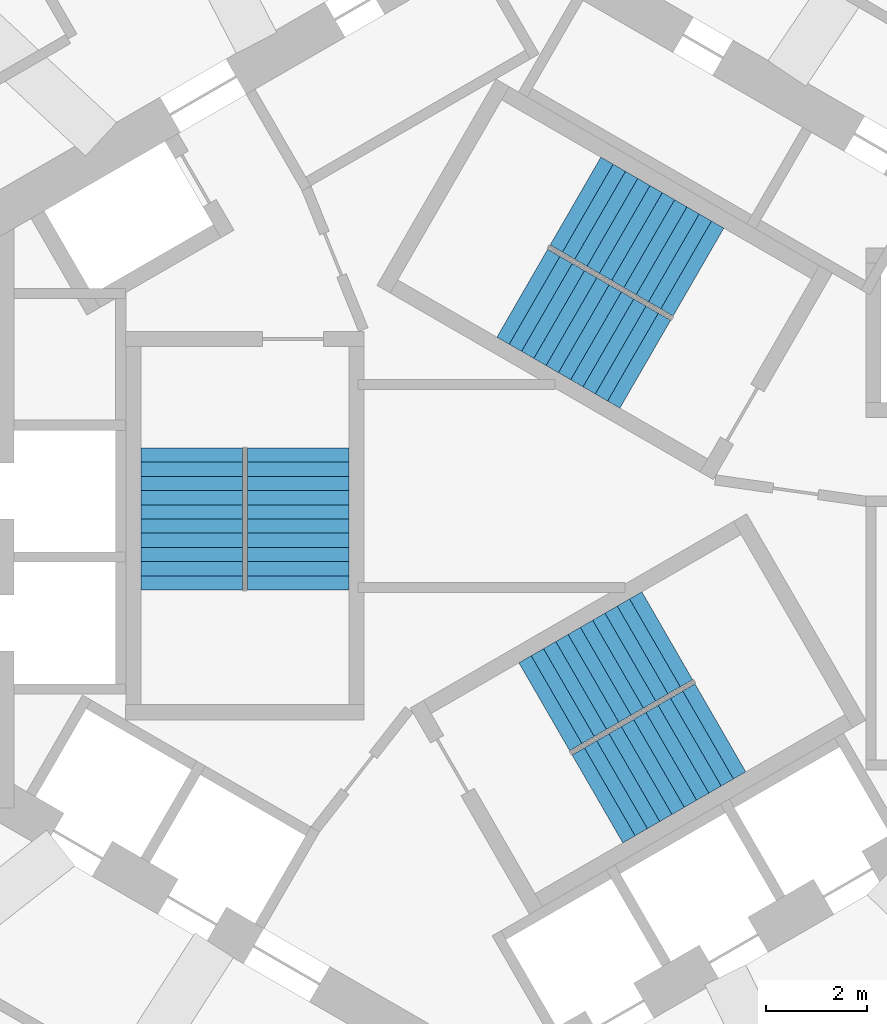
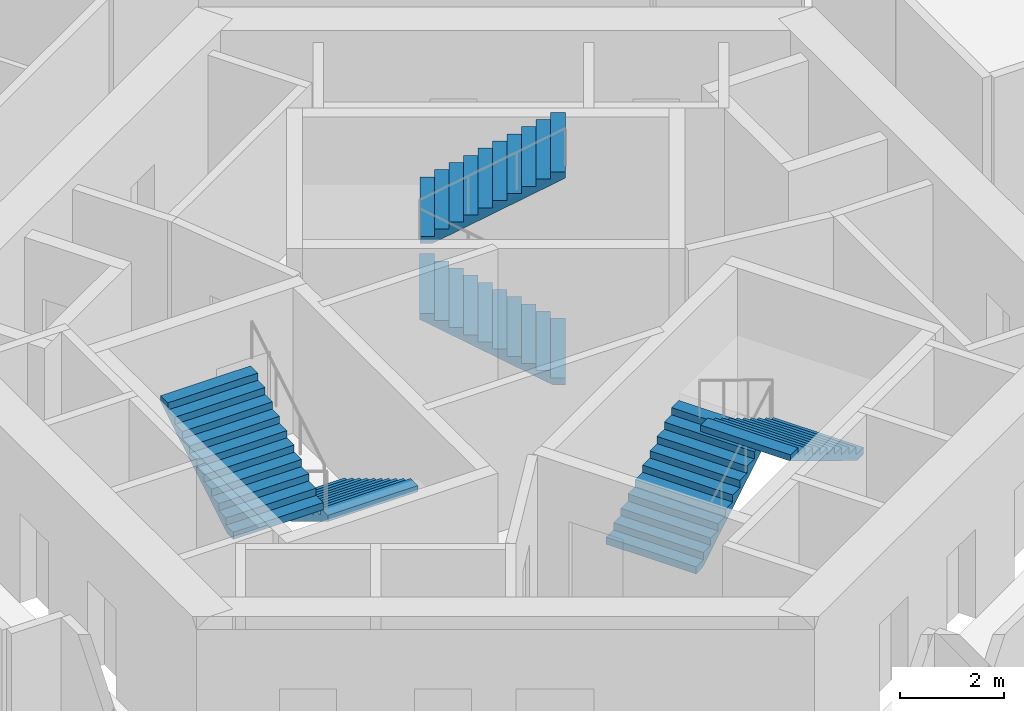
# One storey, part 9 of 11: 6 stair flights, 3 elements without a shape of their own.
"""IFC4 building model written with IfcOpenShell, lengths in metres."""

from ifc_helpers import new_model, si_unit, direction, frame, origin, place, context, subcontext, project, spatial, triangles, source, transform, mapped, material, type_object, element, aggregate, save


model = new_model("IFC4")

# Units and contexts
model_context = context("Model", 3, precision=1e-05, world=origin(), true_north=direction((0.0, 1.0)))
body_context = subcontext(model_context, "Body", "Model", "MODEL_VIEW")
ifc_project = project(units=[si_unit("LENGTHUNIT", "METRE"), si_unit("AREAUNIT", "SQUARE_METRE"), si_unit("VOLUMEUNIT", "CUBIC_METRE"), si_unit("PLANEANGLEUNIT", "RADIAN"), si_unit("MASSUNIT", "GRAM", prefix="KILO")], contexts=[model_context])

# Site, building, storey
site_placement = place(None, origin())
site = spatial("IfcSite", under=ifc_project, at=site_placement, CompositionType="ELEMENT")
building_placement = place(site_placement, origin())
building = spatial("IfcBuilding", under=site, at=building_placement, Name="Vanh Sen Convention Tower", CompositionType="ELEMENT")
storey_placement = place(building_placement, frame((0.0, 0.0, 232.800048828125)))
storey = spatial("IfcBuildingStorey", under=building, at=storey_placement, Name="L57", CompositionType="ELEMENT", Elevation=232.800048828125)

# Stair, stair flights
ifc_material_1 = material(Name="Concrete C50/60", Category="concrete")
stair_type_1 = type_object("IfcStairType", Name="Exit stair ST1 22 risers at 168.2", PredefinedType="HALF_TURN_STAIR", material=ifc_material_1)
stair_1_placement = place(storey_placement, origin())
stair_1 = element("IfcStair", 1, at=stair_1_placement, inside=storey, type_object=stair_type_1, Name="Exit stair ST1 L57", PredefinedType="HALF_TURN_STAIR")
ifc_material_2 = material(Name="Concrete C40/50", Category="concrete")
stair_flight_type = type_object("IfcStairFlightType", Name="Stair flight 2000", PredefinedType="STRAIGHT", material=ifc_material_2)
shared_shape = source(origin(), body_context, "Body", "Tessellation", [
    triangles([(0.24267578125, 1.0, 0.0), (0.0, 1.0, 0.0), (0.0, 1.0, 0.168212890625), (0.280029296875, 1.0, 0.168212890625), (0.280029296875, 1.0, 0.33642578125), (0.56005859375, 1.0, 0.33642578125), (0.56005859375, 1.0, 0.504638671875), (0.840087890625, 1.0, 0.504638671875), (0.840087890625, 1.0, 0.672607421875), (1.1201171875, 1.0, 0.672607421875), (1.1201171875, 1.0, 0.8408203125), (1.39990234375, 1.0, 0.8408203125), (1.39990234375, 1.0, 1.009033203125), (1.679931640625, 1.0, 1.009033203125), (1.679931640625, 1.0, 1.17724609375), (1.9599609375, 1.0, 1.17724609375), (1.9599609375, 1.0, 1.345458984375), (2.239990234375, 1.0, 1.345458984375), (2.239990234375, 1.0, 1.513671875), (2.52001953125, 1.0, 1.513671875), (2.52001953125, 1.0, 1.681884765625), (2.800048828125, 1.0, 1.681884765625), (2.800048828125, 1.0, 1.535888671875), (0.24267578125, -1.0, 0.0), (0.0, -1.0, 0.0), (0.0, -1.0, 0.168212890625), (0.280029296875, -1.0, 0.168212890625), (0.280029296875, -1.0, 0.33642578125), (0.56005859375, -1.0, 0.33642578125), (0.56005859375, -1.0, 0.504638671875), (0.840087890625, -1.0, 0.504638671875), (0.840087890625, -1.0, 0.672607421875), (1.1201171875, -1.0, 0.672607421875), (1.1201171875, -1.0, 0.8408203125), (1.39990234375, -1.0, 0.8408203125), (1.39990234375, -1.0, 1.009033203125), (1.679931640625, -1.0, 1.009033203125), (1.679931640625, -1.0, 1.17724609375), (1.9599609375, -1.0, 1.17724609375), (1.9599609375, -1.0, 1.345458984375), (2.239990234375, -1.0, 1.345458984375), (2.239990234375, -1.0, 1.513671875), (2.52001953125, -1.0, 1.513671875), (2.52001953125, -1.0, 1.681884765625), (2.800048828125, -1.0, 1.681884765625), (2.800048828125, -1.0, 1.535888671875), (0.0, 0.0400390625, 0.0), (0.0, 0.0390625, 0.0), (0.0, 0.0380859375, 0.0), (0.0, 0.037109375, 0.0), (0.0, 0.035888671875, 0.0), (0.0, 0.034912109375, 0.0), (0.0, 0.033935546875, 0.0), (0.0, 0.032958984375, 0.0), (0.0, 0.031982421875, 0.0), (0.0, 0.031005859375, 0.0), (0.0, 0.030029296875, 0.0), (0.0, 0.029052734375, 0.0), (0.0, 0.028076171875, 0.0), (0.0, 0.027099609375, 0.0), (0.0, 0.02587890625, 0.0), (0.0, 0.02490234375, 0.0), (0.0, 0.02392578125, 0.0), (0.0, 0.02294921875, 0.0), (0.0, 0.02197265625, 0.0), (0.0, 0.02099609375, 0.0), (0.0, 0.02001953125, 0.0), (0.0, 0.01904296875, 0.0), (0.0, 0.01806640625, 0.0), (0.0, 0.01708984375, 0.0), (0.0, 0.01611328125, 0.0), (0.0, 0.014892578125, 0.0), (0.0, 0.013916015625, 0.0), (0.0, 0.012939453125, 0.0), (0.0, 0.011962890625, 0.0), (0.0, 0.010986328125, 0.0), (0.0, 0.010009765625, 0.0), (0.0, 0.009033203125, 0.0), (0.0, 0.008056640625, 0.0), (0.0, 0.007080078125, 0.0), (0.0, 0.006103515625, 0.0), (0.0, 0.0048828125, 0.0), (0.0, 0.00390625, 0.0), (0.0, 0.0029296875, 0.0), (0.0, 0.001953125, 0.0), (0.0, 0.0009765625, 0.0), (0.0, 0.0, 0.0), (0.0, -0.0009765625, 0.0), (0.0, -0.001953125, 0.0), (0.0, -0.0029296875, 0.0), (0.0, -0.00390625, 0.0), (0.0, -0.0048828125, 0.0), (0.0, -0.006103515625, 0.0), (0.0, -0.007080078125, 0.0), (0.0, -0.008056640625, 0.0), (0.0, -0.009033203125, 0.0), (0.0, -0.010009765625, 0.0), (0.0, -0.010986328125, 0.0), (0.0, -0.011962890625, 0.0), (0.0, -0.012939453125, 0.0), (0.0, -0.013916015625, 0.0), (0.0, -0.014892578125, 0.0), (0.0, -0.01611328125, 0.0), (0.0, -0.01708984375, 0.0), (0.0, -0.01806640625, 0.0), (0.0, -0.01904296875, 0.0), (0.0, -0.02001953125, 0.0), (0.0, -0.02099609375, 0.0), (0.0, -0.02197265625, 0.0), (0.0, -0.02294921875, 0.0), (0.0, -0.02392578125, 0.0), (0.0, -0.02490234375, 0.0), (0.0, -0.02587890625, 0.0), (0.0, -0.027099609375, 0.0), (0.0, -0.028076171875, 0.0), (0.0, -0.029052734375, 0.0), (0.0, -0.030029296875, 0.0), (0.0, -0.031005859375, 0.0), (0.0, -0.031982421875, 0.0), (0.0, -0.032958984375, 0.0), (0.0, -0.033935546875, 0.0), (0.0, -0.034912109375, 0.0), (0.0, -0.035888671875, 0.0), (0.0, -0.037109375, 0.0), (0.0, -0.0380859375, 0.0), (0.0, -0.0390625, 0.0), (0.0, -0.0400390625, 0.0), (0.0, 0.0400390625, 0.168212890625), (0.0, 0.0390625, 0.168212890625), (0.0, 0.0380859375, 0.168212890625), (0.0, 0.037109375, 0.168212890625), (0.0, 0.035888671875, 0.168212890625), (0.0, 0.034912109375, 0.168212890625), (0.0, 0.033935546875, 0.168212890625), (0.0, 0.032958984375, 0.168212890625), (0.0, 0.031982421875, 0.168212890625), (0.0, 0.031005859375, 0.168212890625), (0.0, 0.030029296875, 0.168212890625), (0.0, 0.029052734375, 0.168212890625), (0.0, 0.028076171875, 0.168212890625), (0.0, 0.027099609375, 0.168212890625), (0.0, 0.02587890625, 0.168212890625), (0.0, 0.02490234375, 0.168212890625), (0.0, 0.02392578125, 0.168212890625), (0.0, 0.02294921875, 0.168212890625), (0.0, 0.02197265625, 0.168212890625), (0.0, 0.02099609375, 0.168212890625), (0.0, 0.02001953125, 0.168212890625), (0.0, 0.01904296875, 0.168212890625), (0.0, 0.01806640625, 0.168212890625), (0.0, 0.01708984375, 0.168212890625), (0.0, 0.01611328125, 0.168212890625), (0.0, 0.014892578125, 0.168212890625), (0.0, 0.013916015625, 0.168212890625), (0.0, 0.012939453125, 0.168212890625), (0.0, 0.011962890625, 0.168212890625), (0.0, 0.010986328125, 0.168212890625), (0.0, 0.010009765625, 0.168212890625), (0.0, 0.009033203125, 0.168212890625), (0.0, 0.008056640625, 0.168212890625), (0.0, 0.007080078125, 0.168212890625), (0.0, 0.006103515625, 0.168212890625), (0.0, 0.0048828125, 0.168212890625), (0.0, 0.00390625, 0.168212890625), (0.0, 0.0029296875, 0.168212890625), (0.0, 0.001953125, 0.168212890625), (0.0, 0.0009765625, 0.168212890625), (0.0, 0.0, 0.168212890625), (0.0, -0.0009765625, 0.168212890625), (0.0, -0.001953125, 0.168212890625), (0.0, -0.0029296875, 0.168212890625), (0.0, -0.00390625, 0.168212890625), (0.0, -0.0048828125, 0.168212890625), (0.0, -0.006103515625, 0.168212890625), (0.0, -0.007080078125, 0.168212890625), (0.0, -0.008056640625, 0.168212890625), (0.0, -0.009033203125, 0.168212890625), (0.0, -0.010009765625, 0.168212890625), (0.0, -0.010986328125, 0.168212890625), (0.0, -0.011962890625, 0.168212890625), (0.0, -0.012939453125, 0.168212890625), (0.0, -0.013916015625, 0.168212890625), (0.0, -0.014892578125, 0.168212890625), (0.0, -0.01611328125, 0.168212890625), (0.0, -0.01708984375, 0.168212890625), (0.0, -0.01806640625, 0.168212890625), (0.0, -0.01904296875, 0.168212890625), (0.0, -0.02001953125, 0.168212890625), (0.0, -0.02099609375, 0.168212890625), (0.0, -0.02197265625, 0.168212890625), (0.0, -0.02294921875, 0.168212890625), (0.0, -0.02392578125, 0.168212890625), (0.0, -0.02490234375, 0.168212890625), (0.0, -0.02587890625, 0.168212890625), (0.0, -0.027099609375, 0.168212890625), (0.0, -0.028076171875, 0.168212890625), (0.0, -0.029052734375, 0.168212890625), (0.0, -0.030029296875, 0.168212890625), (0.0, -0.031005859375, 0.168212890625), (0.0, -0.031982421875, 0.168212890625), (0.0, -0.032958984375, 0.168212890625), (0.0, -0.033935546875, 0.168212890625), (0.0, -0.034912109375, 0.168212890625), (0.0, -0.035888671875, 0.168212890625), (0.0, -0.037109375, 0.168212890625), (0.0, -0.0380859375, 0.168212890625), (0.0, -0.0390625, 0.168212890625), (0.0, -0.0400390625, 0.168212890625), (0.280029296875, 0.0, 0.168212890625), (0.280029296875, 0.0, 0.33642578125), (0.56005859375, 0.0, 0.33642578125), (0.56005859375, 0.0, 0.504638671875), (0.840087890625, 0.0, 0.504638671875), (0.840087890625, 0.0, 0.672607421875), (1.1201171875, 0.0, 0.672607421875), (1.1201171875, 0.0, 0.8408203125), (1.39990234375, 0.0, 0.8408203125), (1.39990234375, 0.0, 1.009033203125), (1.679931640625, 0.0, 1.009033203125), (1.679931640625, 0.0, 1.17724609375), (1.9599609375, 0.0, 1.17724609375), (1.9599609375, 0.0, 1.345458984375), (2.239990234375, 0.0, 1.345458984375), (2.239990234375, 0.0, 1.513671875), (2.52001953125, 0.0, 1.513671875), (2.52001953125, 0.0, 1.681884765625), (2.800048828125, 0.0400390625, 1.681884765625), (2.800048828125, 0.0390625, 1.681884765625), (2.800048828125, 0.0380859375, 1.681884765625), (2.800048828125, 0.037109375, 1.681884765625), (2.800048828125, 0.035888671875, 1.681884765625), (2.800048828125, 0.034912109375, 1.681884765625), (2.800048828125, 0.033935546875, 1.681884765625), (2.800048828125, 0.032958984375, 1.681884765625), (2.800048828125, 0.031982421875, 1.681884765625), (2.800048828125, 0.031005859375, 1.681884765625), (2.800048828125, 0.030029296875, 1.681884765625), (2.800048828125, 0.029052734375, 1.681884765625), (2.800048828125, 0.028076171875, 1.681884765625), (2.800048828125, 0.027099609375, 1.681884765625), (2.800048828125, 0.02587890625, 1.681884765625), (2.800048828125, 0.02490234375, 1.681884765625), (2.800048828125, 0.02392578125, 1.681884765625), (2.800048828125, 0.02294921875, 1.681884765625), (2.800048828125, 0.02197265625, 1.681884765625), (2.800048828125, 0.02099609375, 1.681884765625), (2.800048828125, 0.02001953125, 1.681884765625), (2.800048828125, 0.01904296875, 1.681884765625), (2.800048828125, 0.01806640625, 1.681884765625), (2.800048828125, 0.01708984375, 1.681884765625), (2.800048828125, 0.01611328125, 1.681884765625), (2.800048828125, 0.014892578125, 1.681884765625), (2.800048828125, 0.013916015625, 1.681884765625), (2.800048828125, 0.012939453125, 1.681884765625), (2.800048828125, 0.011962890625, 1.681884765625), (2.800048828125, 0.010986328125, 1.681884765625), (2.800048828125, 0.010009765625, 1.681884765625), (2.800048828125, 0.009033203125, 1.681884765625), (2.800048828125, 0.008056640625, 1.681884765625), (2.800048828125, 0.007080078125, 1.681884765625), (2.800048828125, 0.006103515625, 1.681884765625), (2.800048828125, 0.0048828125, 1.681884765625), (2.800048828125, 0.00390625, 1.681884765625), (2.800048828125, 0.0029296875, 1.681884765625), (2.800048828125, 0.001953125, 1.681884765625), (2.800048828125, 0.0009765625, 1.681884765625), (2.800048828125, 0.0, 1.681884765625), (2.800048828125, -0.0009765625, 1.681884765625), (2.800048828125, -0.001953125, 1.681884765625), (2.800048828125, -0.0029296875, 1.681884765625), (2.800048828125, -0.00390625, 1.681884765625), (2.800048828125, -0.0048828125, 1.681884765625), (2.800048828125, -0.006103515625, 1.681884765625), (2.800048828125, -0.007080078125, 1.681884765625), (2.800048828125, -0.008056640625, 1.681884765625), (2.800048828125, -0.009033203125, 1.681884765625), (2.800048828125, -0.010009765625, 1.681884765625), (2.800048828125, -0.010986328125, 1.681884765625), (2.800048828125, -0.011962890625, 1.681884765625), (2.800048828125, -0.012939453125, 1.681884765625), (2.800048828125, -0.013916015625, 1.681884765625), (2.800048828125, -0.014892578125, 1.681884765625), (2.800048828125, -0.01611328125, 1.681884765625), (2.800048828125, -0.01708984375, 1.681884765625), (2.800048828125, -0.01806640625, 1.681884765625), (2.800048828125, -0.01904296875, 1.681884765625), (2.800048828125, -0.02001953125, 1.681884765625), (2.800048828125, -0.02099609375, 1.681884765625), (2.800048828125, -0.02197265625, 1.681884765625), (2.800048828125, -0.02294921875, 1.681884765625), (2.800048828125, -0.02392578125, 1.681884765625), (2.800048828125, -0.02490234375, 1.681884765625), (2.800048828125, -0.02587890625, 1.681884765625), (2.800048828125, -0.027099609375, 1.681884765625), (2.800048828125, -0.028076171875, 1.681884765625), (2.800048828125, -0.029052734375, 1.681884765625), (2.800048828125, -0.030029296875, 1.681884765625), (2.800048828125, -0.031005859375, 1.681884765625), (2.800048828125, -0.031982421875, 1.681884765625), (2.800048828125, -0.032958984375, 1.681884765625), (2.800048828125, -0.033935546875, 1.681884765625), (2.800048828125, -0.034912109375, 1.681884765625), (2.800048828125, -0.035888671875, 1.681884765625), (2.800048828125, -0.037109375, 1.681884765625), (2.800048828125, -0.0380859375, 1.681884765625), (2.800048828125, -0.0390625, 1.681884765625), (2.800048828125, -0.0400390625, 1.681884765625), (2.800048828125, 0.0400390625, 1.535888671875), (2.800048828125, 0.0390625, 1.535888671875), (2.800048828125, 0.0380859375, 1.535888671875), (2.800048828125, 0.037109375, 1.535888671875), (2.800048828125, 0.035888671875, 1.535888671875), (2.800048828125, 0.034912109375, 1.535888671875), (2.800048828125, 0.033935546875, 1.535888671875), (2.800048828125, 0.032958984375, 1.535888671875), (2.800048828125, 0.031982421875, 1.535888671875), (2.800048828125, 0.031005859375, 1.535888671875), (2.800048828125, 0.030029296875, 1.535888671875), (2.800048828125, 0.029052734375, 1.535888671875), (2.800048828125, 0.028076171875, 1.535888671875), (2.800048828125, 0.027099609375, 1.535888671875), (2.800048828125, 0.02587890625, 1.535888671875), (2.800048828125, 0.02490234375, 1.535888671875), (2.800048828125, 0.02392578125, 1.535888671875), (2.800048828125, 0.02294921875, 1.535888671875), (2.800048828125, 0.02197265625, 1.535888671875), (2.800048828125, 0.02099609375, 1.535888671875), (2.800048828125, 0.02001953125, 1.535888671875), (2.800048828125, 0.01904296875, 1.535888671875), (2.800048828125, 0.01806640625, 1.535888671875), (2.800048828125, 0.01708984375, 1.535888671875), (2.800048828125, 0.01611328125, 1.535888671875), (2.800048828125, 0.014892578125, 1.535888671875), (2.800048828125, 0.013916015625, 1.535888671875), (2.800048828125, 0.012939453125, 1.535888671875), (2.800048828125, 0.011962890625, 1.535888671875), (2.800048828125, 0.010986328125, 1.535888671875), (2.800048828125, 0.010009765625, 1.535888671875), (2.800048828125, 0.009033203125, 1.535888671875), (2.800048828125, 0.008056640625, 1.535888671875), (2.800048828125, 0.007080078125, 1.535888671875), (2.800048828125, 0.006103515625, 1.535888671875), (2.800048828125, 0.0048828125, 1.535888671875), (2.800048828125, 0.00390625, 1.535888671875), (2.800048828125, 0.0029296875, 1.535888671875), (2.800048828125, 0.001953125, 1.535888671875), (2.800048828125, 0.0009765625, 1.535888671875), (2.800048828125, 0.0, 1.535888671875), (2.800048828125, -0.0009765625, 1.535888671875), (2.800048828125, -0.001953125, 1.535888671875), (2.800048828125, -0.0029296875, 1.535888671875), (2.800048828125, -0.00390625, 1.535888671875), (2.800048828125, -0.0048828125, 1.535888671875), (2.800048828125, -0.006103515625, 1.535888671875), (2.800048828125, -0.007080078125, 1.535888671875), (2.800048828125, -0.008056640625, 1.535888671875), (2.800048828125, -0.009033203125, 1.535888671875), (2.800048828125, -0.010009765625, 1.535888671875), (2.800048828125, -0.010986328125, 1.535888671875), (2.800048828125, -0.011962890625, 1.535888671875), (2.800048828125, -0.012939453125, 1.535888671875), (2.800048828125, -0.013916015625, 1.535888671875), (2.800048828125, -0.014892578125, 1.535888671875), (2.800048828125, -0.01611328125, 1.535888671875), (2.800048828125, -0.01708984375, 1.535888671875), (2.800048828125, -0.01806640625, 1.535888671875), (2.800048828125, -0.01904296875, 1.535888671875), (2.800048828125, -0.02001953125, 1.535888671875), (2.800048828125, -0.02099609375, 1.535888671875), (2.800048828125, -0.02197265625, 1.535888671875), (2.800048828125, -0.02294921875, 1.535888671875), (2.800048828125, -0.02392578125, 1.535888671875), (2.800048828125, -0.02490234375, 1.535888671875), (2.800048828125, -0.02587890625, 1.535888671875), (2.800048828125, -0.027099609375, 1.535888671875), (2.800048828125, -0.028076171875, 1.535888671875), (2.800048828125, -0.029052734375, 1.535888671875), (2.800048828125, -0.030029296875, 1.535888671875), (2.800048828125, -0.031005859375, 1.535888671875), (2.800048828125, -0.031982421875, 1.535888671875), (2.800048828125, -0.032958984375, 1.535888671875), (2.800048828125, -0.033935546875, 1.535888671875), (2.800048828125, -0.034912109375, 1.535888671875), (2.800048828125, -0.035888671875, 1.535888671875), (2.800048828125, -0.037109375, 1.535888671875), (2.800048828125, -0.0380859375, 1.535888671875), (2.800048828125, -0.0390625, 1.535888671875), (2.800048828125, -0.0400390625, 1.535888671875), (0.24267578125, 0.0, 0.0)], [[1, 2, 3], [1, 3, 4], [4, 5, 6], [1, 4, 6], [6, 7, 8], [1, 6, 8], [8, 9, 10], [1, 8, 10], [10, 11, 12], [1, 10, 12], [12, 13, 14], [1, 12, 14], [14, 15, 16], [1, 14, 16], [16, 17, 18], [1, 16, 18], [18, 19, 20], [1, 18, 20], [20, 21, 22], [1, 20, 22], [22, 23, 1], [24, 26, 25], [24, 27, 26], [27, 29, 28], [24, 29, 27], [29, 31, 30], [24, 31, 29], [31, 33, 32], [24, 33, 31], [33, 35, 34], [24, 35, 33], [35, 37, 36], [24, 37, 35], [37, 39, 38], [24, 39, 37], [39, 41, 40], [24, 41, 39], [41, 43, 42], [24, 43, 41], [43, 45, 44], [24, 45, 43], [45, 24, 46], [2, 128, 3], [2, 47, 128], [47, 129, 128], [47, 48, 129], [48, 130, 129], [48, 49, 130], [49, 131, 130], [49, 50, 131], [50, 132, 131], [50, 51, 132], [51, 133, 132], [51, 52, 133], [52, 134, 133], [52, 53, 134], [53, 135, 134], [53, 54, 135], [54, 136, 135], [54, 55, 136], [55, 137, 136], [55, 56, 137], [56, 138, 137], [56, 57, 138], [57, 139, 138], [57, 58, 139], [58, 140, 139], [58, 59, 140], [59, 141, 140], [59, 60, 141], [60, 142, 141], [60, 61, 142], [61, 143, 142], [61, 62, 143], [62, 144, 143], [62, 63, 144], [63, 145, 144], [63, 64, 145], [64, 146, 145], [64, 65, 146], [65, 147, 146], [65, 66, 147], [66, 148, 147], [66, 67, 148], [67, 149, 148], [67, 68, 149], [68, 150, 149], [68, 69, 150], [69, 151, 150], [69, 70, 151], [70, 152, 151], [70, 71, 152], [71, 153, 152], [71, 72, 153], [72, 154, 153], [72, 73, 154], [73, 155, 154], [73, 74, 155], [74, 156, 155], [74, 75, 156], [75, 157, 156], [75, 76, 157], [76, 158, 157], [76, 77, 158], [77, 159, 158], [77, 78, 159], [78, 160, 159], [78, 79, 160], [79, 161, 160], [79, 80, 161], [80, 162, 161], [80, 81, 162], [81, 163, 162], [81, 82, 163], [82, 164, 163], [82, 83, 164], [83, 165, 164], [83, 84, 165], [84, 166, 165], [84, 85, 166], [85, 167, 166], [85, 86, 167], [86, 168, 167], [86, 87, 168], [87, 88, 168], [168, 88, 169], [88, 89, 169], [169, 89, 170], [89, 90, 170], [170, 90, 171], [90, 91, 171], [171, 91, 172], [91, 92, 172], [172, 92, 173], [92, 93, 173], [173, 93, 174], [93, 94, 174], [174, 94, 175], [94, 95, 175], [175, 95, 176], [95, 96, 176], [176, 96, 177], [96, 97, 177], [177, 97, 178], [97, 98, 178], [178, 98, 179], [98, 99, 179], [179, 99, 180], [99, 100, 180], [180, 100, 181], [100, 101, 181], [181, 101, 182], [101, 102, 182], [182, 102, 183], [102, 103, 183], [183, 103, 184], [103, 104, 184], [184, 104, 185], [104, 105, 185], [185, 105, 186], [105, 106, 186], [186, 106, 187], [106, 107, 187], [187, 107, 188], [107, 108, 188], [188, 108, 189], [108, 109, 189], [189, 109, 190], [109, 110, 190], [190, 110, 191], [110, 111, 191], [191, 111, 192], [111, 112, 192], [192, 112, 193], [112, 113, 193], [193, 113, 194], [113, 114, 194], [194, 114, 195], [114, 115, 195], [195, 115, 196], [115, 116, 196], [196, 116, 197], [116, 117, 197], [197, 117, 198], [117, 118, 198], [198, 118, 199], [118, 119, 199], [199, 119, 200], [119, 120, 200], [200, 120, 201], [120, 121, 201], [201, 121, 202], [121, 122, 202], [202, 122, 203], [122, 123, 203], [203, 123, 204], [123, 124, 204], [204, 124, 205], [124, 125, 205], [205, 125, 206], [125, 126, 206], [206, 126, 207], [126, 127, 207], [207, 127, 208], [127, 25, 208], [208, 25, 26], [4, 3, 128], [4, 128, 129], [4, 129, 130], [4, 130, 131], [4, 131, 132], [4, 132, 133], [4, 133, 134], [4, 134, 135], [4, 135, 136], [4, 136, 137], [4, 137, 138], [4, 138, 139], [4, 139, 140], [4, 140, 141], [4, 141, 142], [4, 142, 143], [4, 143, 144], [4, 144, 145], [4, 145, 146], [4, 146, 147], [4, 147, 148], [4, 148, 149], [4, 149, 150], [4, 150, 151], [4, 151, 152], [4, 152, 153], [4, 153, 154], [4, 154, 155], [4, 155, 156], [4, 156, 157], [4, 157, 158], [4, 158, 159], [4, 159, 160], [4, 160, 161], [4, 161, 162], [4, 162, 163], [4, 163, 164], [4, 164, 165], [4, 165, 166], [4, 166, 167], [4, 167, 168], [27, 168, 169], [27, 169, 170], [27, 170, 171], [27, 171, 172], [27, 172, 173], [27, 173, 174], [27, 174, 175], [27, 175, 176], [27, 176, 177], [27, 177, 178], [27, 178, 179], [27, 179, 180], [27, 180, 181], [27, 181, 182], [27, 182, 183], [27, 183, 184], [27, 184, 185], [27, 185, 186], [27, 186, 187], [27, 187, 188], [27, 188, 189], [27, 189, 190], [27, 190, 191], [27, 191, 192], [27, 192, 193], [27, 193, 194], [27, 194, 195], [27, 195, 196], [27, 196, 197], [27, 197, 198], [27, 198, 199], [27, 199, 200], [27, 200, 201], [27, 201, 202], [27, 202, 203], [27, 203, 204], [27, 204, 205], [27, 205, 206], [27, 206, 207], [27, 207, 208], [27, 208, 26], [4, 168, 209], [27, 209, 168], [4, 210, 5], [4, 209, 210], [209, 27, 210], [210, 27, 28], [5, 211, 6], [5, 210, 211], [210, 28, 211], [211, 28, 29], [6, 212, 7], [6, 211, 212], [211, 29, 212], [212, 29, 30], [7, 213, 8], [7, 212, 213], [212, 30, 213], [213, 30, 31], [8, 214, 9], [8, 213, 214], [213, 31, 214], [214, 31, 32], [9, 215, 10], [9, 214, 215], [214, 32, 215], [215, 32, 33], [10, 216, 11], [10, 215, 216], [215, 33, 216], [216, 33, 34], [11, 217, 12], [11, 216, 217], [216, 34, 217], [217, 34, 35], [12, 218, 13], [12, 217, 218], [217, 35, 218], [218, 35, 36], [13, 219, 14], [13, 218, 219], [218, 36, 219], [219, 36, 37], [14, 220, 15], [14, 219, 220], [219, 37, 220], [220, 37, 38], [15, 221, 16], [15, 220, 221], [220, 38, 221], [221, 38, 39], [16, 222, 17], [16, 221, 222], [221, 39, 222], [222, 39, 40], [17, 223, 18], [17, 222, 223], [222, 40, 223], [223, 40, 41], [18, 224, 19], [18, 223, 224], [223, 41, 224], [224, 41, 42], [19, 225, 20], [19, 224, 225], [224, 42, 225], [225, 42, 43], [20, 226, 21], [20, 225, 226], [225, 43, 226], [226, 43, 44], [21, 227, 22], [21, 228, 227], [21, 229, 228], [21, 230, 229], [21, 231, 230], [21, 232, 231], [21, 233, 232], [21, 234, 233], [21, 235, 234], [21, 236, 235], [21, 237, 236], [21, 238, 237], [21, 239, 238], [21, 240, 239], [21, 241, 240], [21, 242, 241], [21, 243, 242], [21, 244, 243], [21, 245, 244], [21, 246, 245], [21, 247, 246], [21, 248, 247], [21, 249, 248], [21, 250, 249], [21, 251, 250], [21, 252, 251], [21, 253, 252], [21, 254, 253], [21, 255, 254], [21, 256, 255], [21, 257, 256], [21, 258, 257], [21, 259, 258], [21, 260, 259], [21, 261, 260], [21, 262, 261], [21, 263, 262], [21, 264, 263], [21, 265, 264], [21, 266, 265], [21, 267, 266], [44, 268, 267], [44, 269, 268], [44, 270, 269], [44, 271, 270], [44, 272, 271], [44, 273, 272], [44, 274, 273], [44, 275, 274], [44, 276, 275], [44, 277, 276], [44, 278, 277], [44, 279, 278], [44, 280, 279], [44, 281, 280], [44, 282, 281], [44, 283, 282], [44, 284, 283], [44, 285, 284], [44, 286, 285], [44, 287, 286], [44, 288, 287], [44, 289, 288], [44, 290, 289], [44, 291, 290], [44, 292, 291], [44, 293, 292], [44, 294, 293], [44, 295, 294], [44, 296, 295], [44, 297, 296], [44, 298, 297], [44, 299, 298], [44, 300, 299], [44, 301, 300], [44, 302, 301], [44, 303, 302], [44, 304, 303], [44, 305, 304], [44, 306, 305], [44, 307, 306], [44, 45, 307], [21, 226, 267], [44, 267, 226], [22, 308, 23], [22, 227, 308], [227, 309, 308], [227, 228, 309], [228, 310, 309], [228, 229, 310], [229, 311, 310], [229, 230, 311], [230, 312, 311], [230, 231, 312], [231, 313, 312], [231, 232, 313], [232, 314, 313], [232, 233, 314], [233, 315, 314], [233, 234, 315], [234, 316, 315], [234, 235, 316], [235, 317, 316], [235, 236, 317], [236, 318, 317], [236, 237, 318], [237, 319, 318], [237, 238, 319], [238, 320, 319], [238, 239, 320], [239, 321, 320], [239, 240, 321], [240, 322, 321], [240, 241, 322], [241, 323, 322], [241, 242, 323], [242, 324, 323], [242, 243, 324], [243, 325, 324], [243, 244, 325], [244, 326, 325], [244, 245, 326], [245, 327, 326], [245, 246, 327], [246, 328, 327], [246, 247, 328], [247, 329, 328], [247, 248, 329], [248, 330, 329], [248, 249, 330], [249, 331, 330], [249, 250, 331], [250, 332, 331], [250, 251, 332], [251, 333, 332], [251, 252, 333], [252, 334, 333], [252, 253, 334], [253, 335, 334], [253, 254, 335], [254, 336, 335], [254, 255, 336], [255, 337, 336], [255, 256, 337], [256, 338, 337], [256, 257, 338], [257, 339, 338], [257, 258, 339], [258, 340, 339], [258, 259, 340], [259, 341, 340], [259, 260, 341], [260, 342, 341], [260, 261, 342], [261, 343, 342], [261, 262, 343], [262, 344, 343], [262, 263, 344], [263, 345, 344], [263, 264, 345], [264, 346, 345], [264, 265, 346], [265, 347, 346], [265, 266, 347], [266, 348, 347], [266, 267, 348], [267, 268, 348], [348, 268, 349], [268, 269, 349], [349, 269, 350], [269, 270, 350], [350, 270, 351], [270, 271, 351], [351, 271, 352], [271, 272, 352], [352, 272, 353], [272, 273, 353], [353, 273, 354], [273, 274, 354], [354, 274, 355], [274, 275, 355], [355, 275, 356], [275, 276, 356], [356, 276, 357], [276, 277, 357], [357, 277, 358], [277, 278, 358], [358, 278, 359], [278, 279, 359], [359, 279, 360], [279, 280, 360], [360, 280, 361], [280, 281, 361], [361, 281, 362], [281, 282, 362], [362, 282, 363], [282, 283, 363], [363, 283, 364], [283, 284, 364], [364, 284, 365], [284, 285, 365], [365, 285, 366], [285, 286, 366], [366, 286, 367], [286, 287, 367], [367, 287, 368], [287, 288, 368], [368, 288, 369], [288, 289, 369], [369, 289, 370], [289, 290, 370], [370, 290, 371], [290, 291, 371], [371, 291, 372], [291, 292, 372], [372, 292, 373], [292, 293, 373], [373, 293, 374], [293, 294, 374], [374, 294, 375], [294, 295, 375], [375, 295, 376], [295, 296, 376], [376, 296, 377], [296, 297, 377], [377, 297, 378], [297, 298, 378], [378, 298, 379], [298, 299, 379], [379, 299, 380], [299, 300, 380], [380, 300, 381], [300, 301, 381], [381, 301, 382], [301, 302, 382], [382, 302, 383], [302, 303, 383], [383, 303, 384], [303, 304, 384], [384, 304, 385], [304, 305, 385], [385, 305, 386], [305, 306, 386], [386, 306, 387], [306, 307, 387], [387, 307, 388], [307, 45, 388], [388, 45, 46], [1, 23, 308], [1, 308, 309], [1, 309, 310], [1, 310, 311], [1, 311, 312], [1, 312, 313], [1, 313, 314], [1, 314, 315], [1, 315, 316], [1, 316, 317], [1, 317, 318], [1, 318, 319], [1, 319, 320], [1, 320, 321], [1, 321, 322], [1, 322, 323], [1, 323, 324], [1, 324, 325], [1, 325, 326], [1, 326, 327], [1, 327, 328], [1, 328, 329], [1, 329, 330], [1, 330, 331], [1, 331, 332], [1, 332, 333], [1, 333, 334], [1, 334, 335], [1, 335, 336], [1, 336, 337], [1, 337, 338], [1, 338, 339], [1, 339, 340], [1, 340, 341], [1, 341, 342], [1, 342, 343], [1, 343, 344], [1, 344, 345], [1, 345, 346], [1, 346, 347], [1, 347, 348], [24, 348, 349], [24, 349, 350], [24, 350, 351], [24, 351, 352], [24, 352, 353], [24, 353, 354], [24, 354, 355], [24, 355, 356], [24, 356, 357], [24, 357, 358], [24, 358, 359], [24, 359, 360], [24, 360, 361], [24, 361, 362], [24, 362, 363], [24, 363, 364], [24, 364, 365], [24, 365, 366], [24, 366, 367], [24, 367, 368], [24, 368, 369], [24, 369, 370], [24, 370, 371], [24, 371, 372], [24, 372, 373], [24, 373, 374], [24, 374, 375], [24, 375, 376], [24, 376, 377], [24, 377, 378], [24, 378, 379], [24, 379, 380], [24, 380, 381], [24, 381, 382], [24, 382, 383], [24, 383, 384], [24, 384, 385], [24, 385, 386], [24, 386, 387], [24, 387, 388], [24, 388, 46], [1, 348, 389], [24, 389, 348], [1, 47, 2], [1, 48, 47], [1, 49, 48], [1, 50, 49], [1, 51, 50], [1, 52, 51], [1, 53, 52], [1, 54, 53], [1, 55, 54], [1, 56, 55], [1, 57, 56], [1, 58, 57], [1, 59, 58], [1, 60, 59], [1, 61, 60], [1, 62, 61], [1, 63, 62], [1, 64, 63], [1, 65, 64], [1, 66, 65], [1, 67, 66], [1, 68, 67], [1, 69, 68], [1, 70, 69], [1, 71, 70], [1, 72, 71], [1, 73, 72], [1, 74, 73], [1, 75, 74], [1, 76, 75], [1, 77, 76], [1, 78, 77], [1, 79, 78], [1, 80, 79], [1, 81, 80], [1, 82, 81], [1, 83, 82], [1, 84, 83], [1, 85, 84], [1, 86, 85], [1, 87, 86], [24, 88, 87], [24, 89, 88], [24, 90, 89], [24, 91, 90], [24, 92, 91], [24, 93, 92], [24, 94, 93], [24, 95, 94], [24, 96, 95], [24, 97, 96], [24, 98, 97], [24, 99, 98], [24, 100, 99], [24, 101, 100], [24, 102, 101], [24, 103, 102], [24, 104, 103], [24, 105, 104], [24, 106, 105], [24, 107, 106], [24, 108, 107], [24, 109, 108], [24, 110, 109], [24, 111, 110], [24, 112, 111], [24, 113, 112], [24, 114, 113], [24, 115, 114], [24, 116, 115], [24, 117, 116], [24, 118, 117], [24, 119, 118], [24, 120, 119], [24, 121, 120], [24, 122, 121], [24, 123, 122], [24, 124, 123], [24, 125, 124], [24, 126, 125], [24, 127, 126], [24, 25, 127], [1, 389, 87], [24, 87, 389]], closed=True),
])
stair_flight_1_placement = place(storey_placement, frame((2.94580078125, 2.802490234375, 0.0), z_axis=(0.0, 0.0, 1.0), x_axis=(-0.866025403784, 0.5, 0.0)))
stair_flight_1 = element("IfcStairFlight", 2, at=stair_flight_1_placement, type_object=stair_flight_type, Name="ST1 flight 1", NumberOfRisers=11, NumberOfTreads=10, PredefinedType="STRAIGHT", RiserHeight=0.168181818, TreadLength=0.28, context=body_context, shape_type="MappedRepresentation", body=[
    mapped(shared_shape, transform((0.0, 0.0, 0.0))),
])
stair_flight_2_placement = place(storey_placement, frame((1.571044921875, 6.021240234375, 1.849853515625), z_axis=(0.0, 0.0, 1.0), x_axis=(0.866025403784, -0.5, 0.0)))
stair_flight_2 = element("IfcStairFlight", 3, at=stair_flight_2_placement, type_object=stair_flight_type, Name="ST1 flight 2", NumberOfRisers=11, NumberOfTreads=10, PredefinedType="STRAIGHT", RiserHeight=0.168181818, TreadLength=0.28, context=body_context, shape_type="MappedRepresentation", body=[
    mapped(shared_shape, transform((0.0, 0.0, 0.0))),
])
aggregate(stair_1, [stair_flight_1, stair_flight_2])

stair_type_2 = type_object("IfcStairType", Name="Exit stair ST2 22 risers at 168.2", PredefinedType="HALF_TURN_STAIR", material=ifc_material_1)
stair_2_placement = place(storey_placement, origin())
stair_2 = element("IfcStair", 4, at=stair_2_placement, inside=storey, type_object=stair_type_2, Name="Exit stair ST2 L57", PredefinedType="HALF_TURN_STAIR")
stair_flight_3_placement = place(storey_placement, frame((-3.89990234375, 1.14990234375, 0.0), z_axis=(0.0, 0.0, 1.0), x_axis=(0.0, -1.0, 0.0)))
stair_flight_3 = element("IfcStairFlight", 5, at=stair_flight_3_placement, type_object=stair_flight_type, Name="ST2 flight 1", NumberOfRisers=11, NumberOfTreads=10, PredefinedType="STRAIGHT", RiserHeight=0.168181818, TreadLength=0.28, context=body_context, shape_type="MappedRepresentation", body=[
    mapped(shared_shape, transform((0.0, 0.0, 0.0))),
])
stair_flight_4_placement = place(storey_placement, frame((-6.0, -1.64990234375, 1.849853515625), z_axis=(0.0, 0.0, 1.0), x_axis=(0.0, 1.0, 0.0)))
stair_flight_4 = element("IfcStairFlight", 6, at=stair_flight_4_placement, type_object=stair_flight_type, Name="ST2 flight 2", NumberOfRisers=11, NumberOfTreads=10, PredefinedType="STRAIGHT", RiserHeight=0.168181818, TreadLength=0.28, context=body_context, shape_type="MappedRepresentation", body=[
    mapped(shared_shape, transform((0.0, 0.0, 0.0))),
])
aggregate(stair_2, [stair_flight_3, stair_flight_4])

stair_type_3 = type_object("IfcStairType", Name="Exit stair ST3 22 risers at 168.2", PredefinedType="HALF_TURN_STAIR", material=ifc_material_1)
stair_3_placement = place(storey_placement, origin())
stair_3 = element("IfcStair", 7, at=stair_3_placement, inside=storey, type_object=stair_type_3, Name="Exit stair ST3 L57", PredefinedType="HALF_TURN_STAIR")
stair_flight_5_placement = place(storey_placement, frame((0.9541015625, -3.952392578125, 0.0), z_axis=(0.0, 0.0, 1.0), x_axis=(0.866025403784, 0.5, 0.0)))
stair_flight_5 = element("IfcStairFlight", 8, at=stair_flight_5_placement, type_object=stair_flight_type, Name="ST3 flight 1", NumberOfRisers=11, NumberOfTreads=10, PredefinedType="STRAIGHT", RiserHeight=0.168181818, TreadLength=0.28, context=body_context, shape_type="MappedRepresentation", body=[
    mapped(shared_shape, transform((0.0, 0.0, 0.0))),
])
stair_flight_6_placement = place(storey_placement, frame((4.428955078125, -4.37109375, 1.849853515625), z_axis=(0.0, 0.0, 1.0), x_axis=(-0.866025403784, -0.5, 0.0)))
stair_flight_6 = element("IfcStairFlight", 9, at=stair_flight_6_placement, type_object=stair_flight_type, Name="ST3 flight 2", NumberOfRisers=11, NumberOfTreads=10, PredefinedType="STRAIGHT", RiserHeight=0.168181818, TreadLength=0.28, context=body_context, shape_type="MappedRepresentation", body=[
    mapped(shared_shape, transform((0.0, 0.0, 0.0))),
])
aggregate(stair_3, [stair_flight_5, stair_flight_6])

save(model, "model.ifc")
